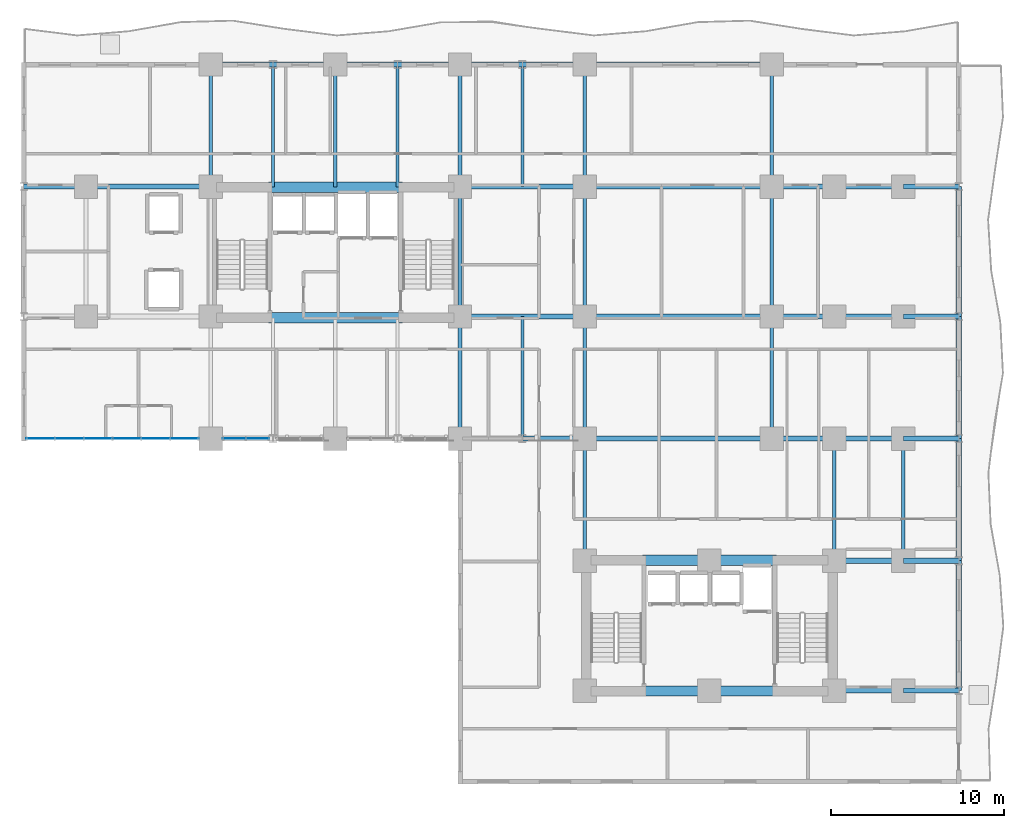
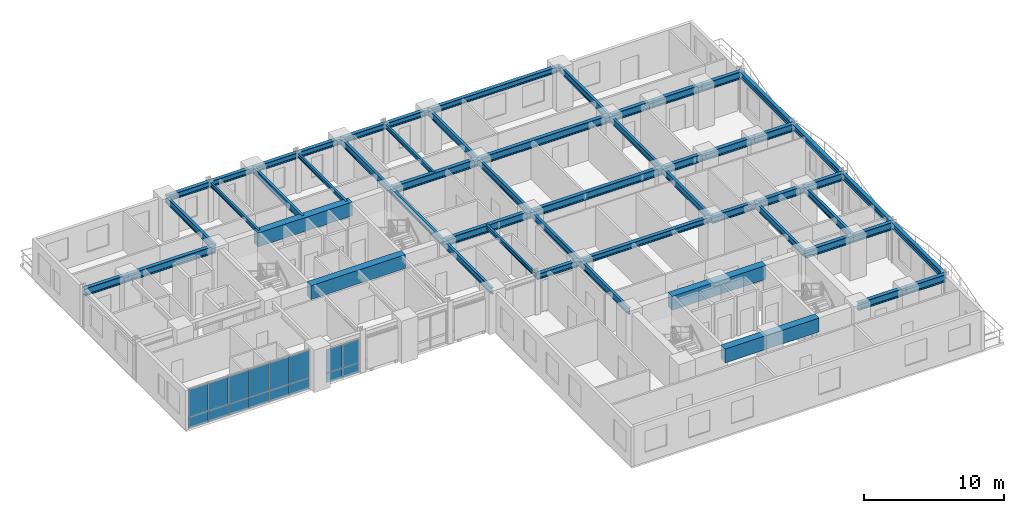
# One storey, part 6 of 16: 54 beams, 16 plates, 2 elements without a shape of their own.
"""IFC4 building model written with IfcOpenShell, lengths in metres."""

from ifc_helpers import new_model, si_unit, direction, frame, origin, origin_2d, place, context, subcontext, project, spatial, rectangle, i_section, extrude, source, transform, mapped, material, layer, layer_set, material_profile, profile_set, type_object, element, aggregate, save


model = new_model("IFC4")

# Units and contexts
model_context = context("Model", 3, precision=1e-05, world=origin(), true_north=direction((0.0, 1.0)))
body_context = subcontext(model_context, "Body", "Model", "MODEL_VIEW")
ifc_project = project(units=[si_unit("LENGTHUNIT", "METRE"), si_unit("AREAUNIT", "SQUARE_METRE"), si_unit("VOLUMEUNIT", "CUBIC_METRE"), si_unit("PLANEANGLEUNIT", "RADIAN"), si_unit("MASSUNIT", "GRAM", prefix="KILO")], contexts=[model_context])

# Site, building, storey
site_placement = place(None, origin())
site = spatial("IfcSite", under=ifc_project, at=site_placement, CompositionType="ELEMENT")
building_placement = place(site_placement, origin())
building = spatial("IfcBuilding", under=site, at=building_placement, Name="Kaliganga Portal Commons", CompositionType="ELEMENT")
storey_placement = place(building_placement, frame((0.0, 0.0, 29.0)))
storey = spatial("IfcBuildingStorey", under=building, at=storey_placement, Name="L06", CompositionType="ELEMENT", Elevation=29.0)

# Beams
ifc_material_1 = material(Name="Concrete C60/75", Category="concrete")
ifc_material_profile_1 = material_profile(ifc_material_1, rectangle(XDim=0.60009765625, YDim=1.199951171875, at=origin_2d()), Name="RC 600x1200")
ifc_profile_set_1 = profile_set([ifc_material_profile_1], Name="Concrete C60/75")
beam_type_1 = type_object("IfcBeamType", Name="BM-CPL-1200", PredefinedType="LINTEL", material=ifc_profile_set_1)
shared_shape_1 = source(origin(), body_context, "Body", "SweptSolid", [
    extrude(rectangle(XDim=0.60009765625, YDim=1.199951171875, at=origin_2d()), origin(), (0.0, 0.0, 1.0), 7.739990234375),
])
for number, where, z_axis, x_axis, name in (
    (1, (17.72998046875, 28.574951171875, 2.85009765625), (1.0, 0.0, 0.0), (0.0, 1.0, 0.0), "BM CPL COREA L06 S"),
    (2, (17.72998046875, 36.125, 2.85009765625), (1.0, 0.0, 0.0), (0.0, 1.0, 0.0), "BM CPL COREA L06 N"),
    (3, (39.330078125, 7.02490234375, 2.85009765625), (1.0, 0.0, 0.0), (0.0, 1.0, 0.0), "BM CPL COREB L06 S"),
    (4, (39.330078125, 14.574951171875, 2.85009765625), (1.0, 0.0, 0.0), (0.0, 1.0, 0.0), "BM CPL COREB L06 N"),
):
    element("IfcBeam", number, at=place(storey_placement, frame(where, z_axis=z_axis, x_axis=x_axis)), inside=storey, type_object=beam_type_1, Name=name, PredefinedType="LINTEL", context=body_context, shape_type="MappedRepresentation", body=[
        mapped(shared_shape_1, transform((0.0, 0.0, 0.0), x_axis=(1.0, 0.0, 0.0), y_axis=(0.0, 1.0, 0.0), z_axis=(0.0, 0.0, 1.0), scale=1.0)),
    ])
ifc_material_2 = material(Name="Structural steel S355J2", Category="steel")
ifc_material_profile_2 = material_profile(ifc_material_2, i_section(OverallWidth=0.300048828125, OverallDepth=0.5, WebThickness=0.014404296875, FlangeThickness=0.028076171875, FilletRadius=0.027099609375, at=origin_2d()), Name="HE 500 B")
ifc_profile_set_2 = profile_set([ifc_material_profile_2], Name="Structural steel S355J2 wide-flange")
beam_type_2 = type_object("IfcBeamType", Name="BM-SPAND-500", PredefinedType="SPANDREL", material=ifc_profile_set_2)
shared_shape_2 = source(origin(), body_context, "Body", "SweptSolid", [
    extrude(i_section(OverallWidth=0.300048828125, OverallDepth=0.5, WebThickness=0.014404296875, FlangeThickness=0.028076171875, FilletRadius=0.027099609375, at=origin_2d()), origin(), (0.0, 0.0, 1.0), 10.800048828125),
])
for number, where, z_axis, x_axis, name in (
    (5, (36.0, 43.199951171875, 3.199951171875), (1.0, 0.0, 0.0), (0.0, 1.0, 0.0), "BM SP L06 AN 7"),
    (6, (36.0, 21.60009765625, 3.199951171875), (1.0, 0.0, 0.0), (0.0, 1.0, 0.0), "BM SP L06 AS 7"),
):
    element("IfcBeam", number, at=place(storey_placement, frame(where, z_axis=z_axis, x_axis=x_axis)), inside=storey, type_object=beam_type_2, Name=name, PredefinedType="SPANDREL", context=body_context, shape_type="MappedRepresentation", body=[
        mapped(shared_shape_2, transform((0.0, 0.0, 0.0), x_axis=(1.0, 0.0, 0.0), y_axis=(0.0, 1.0, 0.0), z_axis=(0.0, 0.0, 1.0), scale=1.0)),
    ])
shared_shape_3 = source(origin(), body_context, "Body", "SweptSolid", [
    extrude(i_section(OverallWidth=0.300048828125, OverallDepth=0.5, WebThickness=0.014404296875, FlangeThickness=0.028076171875, FilletRadius=0.027099609375, at=origin_2d()), origin(), (0.0, 0.0, 1.0), 7.5),
])
for number, where, z_axis, x_axis, name in (
    (7, (57.60009765625, 7.050048828125, 3.199951171875), (0.0, 1.0, 0.0), (-1.0, 0.0, 0.0), "BM SP L06 BE 1"),
    (8, (57.60009765625, 28.64990234375, 3.199951171875), (0.0, 1.0, 0.0), (-1.0, 0.0, 0.0), "BM SP L06 BE 4"),
):
    element("IfcBeam", number, at=place(storey_placement, frame(where, z_axis=z_axis, x_axis=x_axis)), inside=storey, type_object=beam_type_2, Name=name, PredefinedType="SPANDREL", context=body_context, shape_type="MappedRepresentation", body=[
        mapped(shared_shape_3, transform((0.0, 0.0, 0.0), x_axis=(1.0, 0.0, 0.0), y_axis=(0.0, 1.0, 0.0), z_axis=(0.0, 0.0, 1.0), scale=1.0)),
    ])
shared_shape_4 = source(origin(), body_context, "Body", "SweptSolid", [
    extrude(i_section(OverallWidth=0.300048828125, OverallDepth=0.5, WebThickness=0.014404296875, FlangeThickness=0.028076171875, FilletRadius=0.027099609375, at=origin_2d()), origin(), (0.0, 0.0, 1.0), 7.050048828125),
])
beam_1_placement = place(storey_placement, frame((57.60009765625, 14.550048828125, 3.199951171875), z_axis=(0.0, 1.0, 0.0), x_axis=(-1.0, 0.0, 0.0)))
element("IfcBeam", 9, at=beam_1_placement, inside=storey, type_object=beam_type_2, Name="BM SP L06 BE 2", PredefinedType="SPANDREL", context=body_context, shape_type="MappedRepresentation", body=[
    mapped(shared_shape_4, transform((0.0, 0.0, 0.0), x_axis=(1.0, 0.0, 0.0), y_axis=(0.0, 1.0, 0.0), z_axis=(0.0, 0.0, 1.0), scale=1.0)),
])
shared_shape_5 = source(origin(), body_context, "Body", "SweptSolid", [
    extrude(i_section(OverallWidth=0.300048828125, OverallDepth=0.5, WebThickness=0.014404296875, FlangeThickness=0.028076171875, FilletRadius=0.027099609375, at=origin_2d()), origin(), (0.0, 0.0, 1.0), 7.0498046875),
])
beam_2_placement = place(storey_placement, frame((57.60009765625, 21.60009765625, 3.199951171875), z_axis=(0.0, 1.0, 0.0), x_axis=(-1.0, 0.0, 0.0)))
element("IfcBeam", 10, at=beam_2_placement, inside=storey, type_object=beam_type_2, Name="BM SP L06 BE 3", PredefinedType="SPANDREL", context=body_context, shape_type="MappedRepresentation", body=[
    mapped(shared_shape_5, transform((0.0, 0.0, 0.0), x_axis=(1.0, 0.0, 0.0), y_axis=(0.0, 1.0, 0.0), z_axis=(0.0, 0.0, 1.0), scale=1.0)),
])
shared_shape_6 = source(origin(), body_context, "Body", "SweptSolid", [
    extrude(i_section(OverallWidth=0.300048828125, OverallDepth=0.5, WebThickness=0.014404296875, FlangeThickness=0.028076171875, FilletRadius=0.027099609375, at=origin_2d()), origin(), (0.0, 0.0, 1.0), 3.60009765625),
])
for number, where, z_axis, x_axis, name in (
    (11, (14.39990234375, 43.199951171875, 3.199951171875), (1.0, 0.0, 0.0), (0.0, 1.0, 0.0), "BM SP L06 AN 1"),
    (12, (18.0, 43.199951171875, 3.199951171875), (1.0, 0.0, 0.0), (0.0, 1.0, 0.0), "BM SP L06 AN 2"),
    (13, (25.199951171875, 43.199951171875, 3.199951171875), (1.0, 0.0, 0.0), (0.0, 1.0, 0.0), "BM SP L06 AN 4"),
    (14, (32.39990234375, 43.199951171875, 3.199951171875), (1.0, 0.0, 0.0), (0.0, 1.0, 0.0), "BM SP L06 AN 6"),
    (15, (32.39990234375, 21.60009765625, 3.199951171875), (1.0, 0.0, 0.0), (0.0, 1.0, 0.0), "BM SP L06 AS 6"),
):
    element("IfcBeam", number, at=place(storey_placement, frame(where, z_axis=z_axis, x_axis=x_axis)), inside=storey, type_object=beam_type_2, Name=name, PredefinedType="SPANDREL", context=body_context, shape_type="MappedRepresentation", body=[
        mapped(shared_shape_6, transform((0.0, 0.0, 0.0), x_axis=(1.0, 0.0, 0.0), y_axis=(0.0, 1.0, 0.0), z_axis=(0.0, 0.0, 1.0), scale=1.0)),
    ])
shared_shape_7 = source(origin(), body_context, "Body", "SweptSolid", [
    extrude(i_section(OverallWidth=0.300048828125, OverallDepth=0.5, WebThickness=0.014404296875, FlangeThickness=0.028076171875, FilletRadius=0.027099609375, at=origin_2d()), origin(), (0.0, 0.0, 1.0), 3.599853515625),
])
for number, where, z_axis, x_axis, name in (
    (16, (21.60009765625, 43.199951171875, 3.199951171875), (1.0, 0.0, 0.0), (0.0, 1.0, 0.0), "BM SP L06 AN 3"),
    (17, (28.800048828125, 43.199951171875, 3.199951171875), (1.0, 0.0, 0.0), (0.0, 1.0, 0.0), "BM SP L06 AN 5"),
):
    element("IfcBeam", number, at=place(storey_placement, frame(where, z_axis=z_axis, x_axis=x_axis)), inside=storey, type_object=beam_type_2, Name=name, PredefinedType="SPANDREL", context=body_context, shape_type="MappedRepresentation", body=[
        mapped(shared_shape_7, transform((0.0, 0.0, 0.0), x_axis=(1.0, 0.0, 0.0), y_axis=(0.0, 1.0, 0.0), z_axis=(0.0, 0.0, 1.0), scale=1.0)),
    ])
ifc_material_profile_3 = material_profile(ifc_material_2, i_section(OverallWidth=0.300048828125, OverallDepth=0.64990234375, WebThickness=0.01611328125, FlangeThickness=0.031005859375, FilletRadius=0.027099609375, at=origin_2d()), Name="HE 650 B")
ifc_profile_set_3 = profile_set([ifc_material_profile_3], Name="Structural steel S355J2 wide-flange")
beam_type_3 = type_object("IfcBeamType", Name="BM-GIRD-650", PredefinedType="USERDEFINED", material=ifc_profile_set_3)
shared_shape_8 = source(origin(), body_context, "Body", "SweptSolid", [
    extrude(i_section(OverallWidth=0.300048828125, OverallDepth=0.64990234375, WebThickness=0.01611328125, FlangeThickness=0.031005859375, FilletRadius=0.027099609375, at=origin_2d()), origin(), (0.0, 0.0, 1.0), 3.599853515625),
])
for number, where, z_axis, x_axis, name in (
    (18, (3.60009765625, 36.14990234375, 3.125), (1.0, 0.0, 0.0), (0.0, 1.0, 0.0), "BM G L06 WAH_N 1"),
    (19, (46.800048828125, 21.60009765625, 3.125), (1.0, 0.0, 0.0), (0.0, 1.0, 0.0), "BM G L06 BKE216 1"),
    (20, (46.800048828125, 28.64990234375, 3.125), (1.0, 0.0, 0.0), (0.0, 1.0, 0.0), "BM G L06 BKE286 1"),
    (21, (46.800048828125, 36.14990234375, 3.125), (1.0, 0.0, 0.0), (0.0, 1.0, 0.0), "BM G L06 BKE362 1"),
):
    element("IfcBeam", number, at=place(storey_placement, frame(where, z_axis=z_axis, x_axis=x_axis)), inside=storey, type_object=beam_type_3, Name=name, ObjectType="GIRDER", PredefinedType="USERDEFINED", context=body_context, shape_type="MappedRepresentation", body=[
        mapped(shared_shape_8, transform((0.0, 0.0, 0.0), x_axis=(1.0, 0.0, 0.0), y_axis=(0.0, 1.0, 0.0), z_axis=(0.0, 0.0, 1.0), scale=1.0)),
    ])
shared_shape_9 = source(origin(), body_context, "Body", "SweptSolid", [
    extrude(i_section(OverallWidth=0.300048828125, OverallDepth=0.64990234375, WebThickness=0.01611328125, FlangeThickness=0.031005859375, FilletRadius=0.027099609375, at=origin_2d()), origin(), (0.0, 0.0, 1.0), 7.199951171875),
])
for number, where, z_axis, x_axis, name in (
    (22, (7.199951171875, 36.14990234375, 3.125), (1.0, 0.0, 0.0), (0.0, 1.0, 0.0), "BM G L06 WAH_N 2"),
    (23, (28.800048828125, 28.64990234375, 3.125), (1.0, 0.0, 0.0), (0.0, 1.0, 0.0), "BM G L06 WAE_S 1"),
    (24, (28.800048828125, 36.14990234375, 3.125), (1.0, 0.0, 0.0), (0.0, 1.0, 0.0), "BM G L06 WAE_N 1"),
):
    element("IfcBeam", number, at=place(storey_placement, frame(where, z_axis=z_axis, x_axis=x_axis)), inside=storey, type_object=beam_type_3, Name=name, ObjectType="GIRDER", PredefinedType="USERDEFINED", context=body_context, shape_type="MappedRepresentation", body=[
        mapped(shared_shape_9, transform((0.0, 0.0, 0.0), x_axis=(1.0, 0.0, 0.0), y_axis=(0.0, 1.0, 0.0), z_axis=(0.0, 0.0, 1.0), scale=1.0)),
    ])
shared_shape_10 = source(origin(), body_context, "Body", "SweptSolid", [
    extrude(i_section(OverallWidth=0.300048828125, OverallDepth=0.64990234375, WebThickness=0.01611328125, FlangeThickness=0.031005859375, FilletRadius=0.027099609375, at=origin_2d()), origin(), (0.0, 0.0, 1.0), 10.800048828125),
])
for number, where, z_axis, x_axis, name in (
    (25, (36.0, 28.64990234375, 3.125), (1.0, 0.0, 0.0), (0.0, 1.0, 0.0), "BM G L06 WAE_S 2"),
    (26, (36.0, 36.14990234375, 3.125), (1.0, 0.0, 0.0), (0.0, 1.0, 0.0), "BM G L06 WAE_N 2"),
):
    element("IfcBeam", number, at=place(storey_placement, frame(where, z_axis=z_axis, x_axis=x_axis)), inside=storey, type_object=beam_type_3, Name=name, ObjectType="GIRDER", PredefinedType="USERDEFINED", context=body_context, shape_type="MappedRepresentation", body=[
        mapped(shared_shape_10, transform((0.0, 0.0, 0.0), x_axis=(1.0, 0.0, 0.0), y_axis=(0.0, 1.0, 0.0), z_axis=(0.0, 0.0, 1.0), scale=1.0)),
    ])
ifc_material_profile_4 = material_profile(ifc_material_2, i_section(OverallWidth=0.2099609375, OverallDepth=0.550048828125, WebThickness=0.010986328125, FlangeThickness=0.01708984375, FilletRadius=0.02392578125, at=origin_2d()), Name="IPE 550")
ifc_profile_set_4 = profile_set([ifc_material_profile_4], Name="Structural steel S355J2 wide-flange")
beam_type_4 = type_object("IfcBeamType", Name="BM-FLR-550", PredefinedType="BEAM", material=ifc_profile_set_4)
shared_shape_11 = source(origin(), body_context, "Body", "SweptSolid", [
    extrude(i_section(OverallWidth=0.2099609375, OverallDepth=0.550048828125, WebThickness=0.010986328125, FlangeThickness=0.01708984375, FilletRadius=0.02392578125, at=origin_2d()), origin(), (0.0, 0.0, 1.0), 7.5),
])
for number, where, z_axis, x_axis, name in (
    (27, (28.800048828125, 28.64990234375, 3.175048828125), (0.0, 1.0, 0.0), (-1.0, 0.0, 0.0), "BM G L06 AM288"),
    (28, (36.0, 28.64990234375, 3.175048828125), (0.0, 1.0, 0.0), (-1.0, 0.0, 0.0), "BM G L06 AM360"),
    (29, (46.800048828125, 28.64990234375, 3.175048828125), (0.0, 1.0, 0.0), (-1.0, 0.0, 0.0), "BM G L06 AM468"),
):
    element("IfcBeam", number, at=place(storey_placement, frame(where, z_axis=z_axis, x_axis=x_axis)), inside=storey, type_object=beam_type_4, Name=name, PredefinedType="BEAM", context=body_context, shape_type="MappedRepresentation", body=[
        mapped(shared_shape_11, transform((0.0, 0.0, 0.0), x_axis=(1.0, 0.0, 0.0), y_axis=(0.0, 1.0, 0.0), z_axis=(0.0, 0.0, 1.0), scale=1.0)),
    ])
shared_shape_12 = source(origin(), body_context, "Body", "SweptSolid", [
    extrude(i_section(OverallWidth=0.2099609375, OverallDepth=0.550048828125, WebThickness=0.010986328125, FlangeThickness=0.01708984375, FilletRadius=0.02392578125, at=origin_2d()), origin(), (0.0, 0.0, 1.0), 7.050048828125),
])
for number, where, z_axis, x_axis, name in (
    (30, (14.39990234375, 36.14990234375, 3.175048828125), (0.0, 1.0, 0.0), (-1.0, 0.0, 0.0), "BM G L06 AN144"),
    (31, (28.800048828125, 36.14990234375, 3.175048828125), (0.0, 1.0, 0.0), (-1.0, 0.0, 0.0), "BM G L06 AN288"),
    (32, (36.0, 36.14990234375, 3.175048828125), (0.0, 1.0, 0.0), (-1.0, 0.0, 0.0), "BM G L06 AN360"),
    (33, (46.800048828125, 36.14990234375, 3.175048828125), (0.0, 1.0, 0.0), (-1.0, 0.0, 0.0), "BM G L06 AN468"),
    (34, (36.0, 14.550048828125, 3.175048828125), (0.0, 1.0, 0.0), (-1.0, 0.0, 0.0), "BM G L06 BNK360"),
    (35, (50.39990234375, 14.550048828125, 3.175048828125), (0.0, 1.0, 0.0), (-1.0, 0.0, 0.0), "BM G L06 BNK504"),
    (36, (54.39990234375, 14.550048828125, 3.175048828125), (0.0, 1.0, 0.0), (-1.0, 0.0, 0.0), "BM G L06 BNK544"),
):
    element("IfcBeam", number, at=place(storey_placement, frame(where, z_axis=z_axis, x_axis=x_axis)), inside=storey, type_object=beam_type_4, Name=name, PredefinedType="BEAM", context=body_context, shape_type="MappedRepresentation", body=[
        mapped(shared_shape_12, transform((0.0, 0.0, 0.0), x_axis=(1.0, 0.0, 0.0), y_axis=(0.0, 1.0, 0.0), z_axis=(0.0, 0.0, 1.0), scale=1.0)),
    ])
shared_shape_13 = source(origin(), body_context, "Body", "SweptSolid", [
    extrude(i_section(OverallWidth=0.2099609375, OverallDepth=0.550048828125, WebThickness=0.010986328125, FlangeThickness=0.01708984375, FilletRadius=0.02392578125, at=origin_2d()), origin(), (0.0, 0.0, 1.0), 7.0498046875),
])
for number, where, z_axis, x_axis, name in (
    (37, (28.800048828125, 21.60009765625, 3.175048828125), (0.0, 1.0, 0.0), (-1.0, 0.0, 0.0), "BM G L06 AS288"),
    (38, (36.0, 21.60009765625, 3.175048828125), (0.0, 1.0, 0.0), (-1.0, 0.0, 0.0), "BM G L06 AS360"),
    (39, (46.800048828125, 21.60009765625, 3.175048828125), (0.0, 1.0, 0.0), (-1.0, 0.0, 0.0), "BM G L06 AS468"),
):
    element("IfcBeam", number, at=place(storey_placement, frame(where, z_axis=z_axis, x_axis=x_axis)), inside=storey, type_object=beam_type_4, Name=name, PredefinedType="BEAM", context=body_context, shape_type="MappedRepresentation", body=[
        mapped(shared_shape_13, transform((0.0, 0.0, 0.0), x_axis=(1.0, 0.0, 0.0), y_axis=(0.0, 1.0, 0.0), z_axis=(0.0, 0.0, 1.0), scale=1.0)),
    ])
ifc_material_profile_5 = material_profile(ifc_material_2, i_section(OverallWidth=0.169921875, OverallDepth=0.360107421875, WebThickness=0.008056640625, FlangeThickness=0.0126953125, FilletRadius=0.01806640625, at=origin_2d()), Name="IPE 360")
ifc_profile_set_5 = profile_set([ifc_material_profile_5], Name="Structural steel S355J2 wide-flange")
beam_type_5 = type_object("IfcBeamType", Name="BM-JST-360", PredefinedType="JOIST", material=ifc_profile_set_5)
shared_shape_14 = source(origin(), body_context, "Body", "SweptSolid", [
    extrude(i_section(OverallWidth=0.169921875, OverallDepth=0.360107421875, WebThickness=0.008056640625, FlangeThickness=0.0126953125, FilletRadius=0.01806640625, at=origin_2d()), origin(), (0.0, 0.0, 1.0), 7.074951171875),
])
for number, where, z_axis, x_axis, name in (
    (40, (18.0, 36.125, 3.27001953125), (0.0, 1.0, 0.0), (-1.0, 0.0, 0.0), "BM G L06 AN180"),
    (41, (25.199951171875, 36.125, 3.27001953125), (0.0, 1.0, 0.0), (-1.0, 0.0, 0.0), "BM G L06 AN252"),
):
    element("IfcBeam", number, at=place(storey_placement, frame(where, z_axis=z_axis, x_axis=x_axis)), inside=storey, type_object=beam_type_5, Name=name, PredefinedType="JOIST", context=body_context, shape_type="MappedRepresentation", body=[
        mapped(shared_shape_14, transform((0.0, 0.0, 0.0), x_axis=(1.0, 0.0, 0.0), y_axis=(0.0, 1.0, 0.0), z_axis=(0.0, 0.0, 1.0), scale=1.0)),
    ])
shared_shape_15 = source(origin(), body_context, "Body", "SweptSolid", [
    extrude(i_section(OverallWidth=0.2099609375, OverallDepth=0.550048828125, WebThickness=0.010986328125, FlangeThickness=0.01708984375, FilletRadius=0.02392578125, at=origin_2d()), origin(), (0.0, 0.0, 1.0), 7.074951171875),
])
beam_3_placement = place(storey_placement, frame((21.60009765625, 36.125, 3.175048828125), z_axis=(0.0, 1.0, 0.0), x_axis=(-1.0, 0.0, 0.0)))
element("IfcBeam", 42, at=beam_3_placement, inside=storey, type_object=beam_type_4, Name="BM G L06 AN216", PredefinedType="BEAM", context=body_context, shape_type="MappedRepresentation", body=[
    mapped(shared_shape_15, transform((0.0, 0.0, 0.0), x_axis=(1.0, 0.0, 0.0), y_axis=(0.0, 1.0, 0.0), z_axis=(0.0, 0.0, 1.0), scale=1.0)),
])
shared_shape_16 = source(origin(), body_context, "Body", "SweptSolid", [
    extrude(i_section(OverallWidth=0.169921875, OverallDepth=0.360107421875, WebThickness=0.008056640625, FlangeThickness=0.0126953125, FilletRadius=0.01806640625, at=origin_2d()), origin(), (0.0, 0.0, 1.0), 7.050048828125),
])
beam_4_placement = place(storey_placement, frame((32.39990234375, 36.14990234375, 3.27001953125), z_axis=(0.0, 1.0, 0.0), x_axis=(-1.0, 0.0, 0.0)))
element("IfcBeam", 43, at=beam_4_placement, inside=storey, type_object=beam_type_5, Name="BM G L06 AN324", PredefinedType="JOIST", context=body_context, shape_type="MappedRepresentation", body=[
    mapped(shared_shape_16, transform((0.0, 0.0, 0.0), x_axis=(1.0, 0.0, 0.0), y_axis=(0.0, 1.0, 0.0), z_axis=(0.0, 0.0, 1.0), scale=1.0)),
])
shared_shape_17 = source(origin(), body_context, "Body", "SweptSolid", [
    extrude(i_section(OverallWidth=0.169921875, OverallDepth=0.360107421875, WebThickness=0.008056640625, FlangeThickness=0.0126953125, FilletRadius=0.01806640625, at=origin_2d()), origin(), (0.0, 0.0, 1.0), 7.0498046875),
])
beam_5_placement = place(storey_placement, frame((32.39990234375, 21.60009765625, 3.27001953125), z_axis=(0.0, 1.0, 0.0), x_axis=(-1.0, 0.0, 0.0)))
element("IfcBeam", 44, at=beam_5_placement, inside=storey, type_object=beam_type_5, Name="BM G L06 AS324", PredefinedType="JOIST", context=body_context, shape_type="MappedRepresentation", body=[
    mapped(shared_shape_17, transform((0.0, 0.0, 0.0), x_axis=(1.0, 0.0, 0.0), y_axis=(0.0, 1.0, 0.0), z_axis=(0.0, 0.0, 1.0), scale=1.0)),
])
shared_shape_18 = source(origin(), body_context, "Body", "SweptSolid", [
    extrude(i_section(OverallWidth=0.300048828125, OverallDepth=0.64990234375, WebThickness=0.01611328125, FlangeThickness=0.031005859375, FilletRadius=0.027099609375, at=origin_2d()), origin(), (0.0, 0.0, 1.0), 4.0),
])
for number, where, z_axis, x_axis, name in (
    (45, (50.39990234375, 7.050048828125, 3.125), (1.0, 0.0, 0.0), (0.0, 1.0, 0.0), "BM G L06 BKE70 1"),
    (46, (50.39990234375, 14.550048828125, 3.125), (1.0, 0.0, 0.0), (0.0, 1.0, 0.0), "BM G L06 BKE146 1"),
    (47, (50.39990234375, 21.60009765625, 3.125), (1.0, 0.0, 0.0), (0.0, 1.0, 0.0), "BM G L06 BKE216 2"),
    (48, (50.39990234375, 28.64990234375, 3.125), (1.0, 0.0, 0.0), (0.0, 1.0, 0.0), "BM G L06 BKE286 2"),
    (49, (50.39990234375, 36.14990234375, 3.125), (1.0, 0.0, 0.0), (0.0, 1.0, 0.0), "BM G L06 BKE362 2"),
):
    element("IfcBeam", number, at=place(storey_placement, frame(where, z_axis=z_axis, x_axis=x_axis)), inside=storey, type_object=beam_type_3, Name=name, ObjectType="GIRDER", PredefinedType="USERDEFINED", context=body_context, shape_type="MappedRepresentation", body=[
        mapped(shared_shape_18, transform((0.0, 0.0, 0.0), x_axis=(1.0, 0.0, 0.0), y_axis=(0.0, 1.0, 0.0), z_axis=(0.0, 0.0, 1.0), scale=1.0)),
    ])
shared_shape_19 = source(origin(), body_context, "Body", "SweptSolid", [
    extrude(i_section(OverallWidth=0.300048828125, OverallDepth=0.64990234375, WebThickness=0.01611328125, FlangeThickness=0.031005859375, FilletRadius=0.027099609375, at=origin_2d()), origin(), (0.0, 0.0, 1.0), 3.2001953125),
])
for number, where, z_axis, x_axis, name in (
    (50, (54.39990234375, 7.050048828125, 3.125), (1.0, 0.0, 0.0), (0.0, 1.0, 0.0), "BM G L06 BKE70 2"),
    (51, (54.39990234375, 14.550048828125, 3.125), (1.0, 0.0, 0.0), (0.0, 1.0, 0.0), "BM G L06 BKE146 2"),
    (52, (54.39990234375, 21.60009765625, 3.125), (1.0, 0.0, 0.0), (0.0, 1.0, 0.0), "BM G L06 BKE216 3"),
    (53, (54.39990234375, 28.64990234375, 3.125), (1.0, 0.0, 0.0), (0.0, 1.0, 0.0), "BM G L06 BKE286 3"),
    (54, (54.39990234375, 36.14990234375, 3.125), (1.0, 0.0, 0.0), (0.0, 1.0, 0.0), "BM G L06 BKE362 3"),
):
    element("IfcBeam", number, at=place(storey_placement, frame(where, z_axis=z_axis, x_axis=x_axis)), inside=storey, type_object=beam_type_3, Name=name, ObjectType="GIRDER", PredefinedType="USERDEFINED", context=body_context, shape_type="MappedRepresentation", body=[
        mapped(shared_shape_19, transform((0.0, 0.0, 0.0), x_axis=(1.0, 0.0, 0.0), y_axis=(0.0, 1.0, 0.0), z_axis=(0.0, 0.0, 1.0), scale=1.0)),
    ])

# Curtain wall, plates
ifc_material_3 = material(Name="Anodized Aluminium and Laminated Low-E Glass", Category="aluminium")
ifc_layer_1 = layer(ifc_material_3, 0.2099609375)
ifc_layer_set_1 = layer_set([ifc_layer_1], Name="Anodized Aluminium and Laminated Low-E Glass")
curtain_wall_type = type_object("IfcCurtainWallType", Name="CW-SYS-03", PredefinedType="NOTDEFINED", material=ifc_layer_set_1)
curtain_wall_1_placement = place(storey_placement, origin())
curtain_wall_1 = element("IfcCurtainWall", 55, at=curtain_wall_1_placement, inside=storey, type_object=curtain_wall_type, Name="CW 03 L06 P1E04S1", PredefinedType="NOTDEFINED")
ifc_material_4 = material(Name="Insulated Dark Spandrel Panel", Category="metal")
ifc_layer_2 = layer(ifc_material_4, 0.044921875)
ifc_layer_set_2 = layer_set([ifc_layer_2], Name="Insulated Dark Spandrel Panel")
plate_type_1 = type_object("IfcPlateType", Name="PLT-SPN-45", PredefinedType="SHEET", material=ifc_layer_set_2)
shared_shape_20 = source(origin(), body_context, "Body", "SweptSolid", [
    extrude(rectangle(XDim=1.6240234375, YDim=0.044921875, at=origin_2d()), origin(), (0.0, 0.0, 1.0), 0.929931640625),
])
plate_1_placement = place(storey_placement, frame((4.572021484375, 21.60009765625, 0.01025390625), z_axis=(0.0, 0.0, 1.0), x_axis=(1.0, 0.0, 0.0)))
plate_1 = element("IfcPlate", 56, at=plate_1_placement, type_object=plate_type_1, Name="CW:03:L06:P1E04S1 Spandrel 00", PredefinedType="SHEET", context=body_context, shape_type="MappedRepresentation", body=[
    mapped(shared_shape_20, transform((0.0, 0.0, 0.0), x_axis=(1.0, 0.0, 0.0), y_axis=(0.0, 1.0, 0.0), z_axis=(0.0, 0.0, 1.0), scale=1.0)),
])
plate_2_placement = place(storey_placement, frame((6.236083984375, 21.60009765625, 0.01025390625), z_axis=(0.0, 0.0, 1.0), x_axis=(1.0, 0.0, 0.0)))
plate_2 = element("IfcPlate", 57, at=plate_2_placement, type_object=plate_type_1, Name="CW:03:L06:P1E04S1 Spandrel 01", PredefinedType="SHEET", context=body_context, shape_type="MappedRepresentation", body=[
    mapped(shared_shape_20, transform((0.0, 0.0, 0.0), x_axis=(1.0, 0.0, 0.0), y_axis=(0.0, 1.0, 0.0), z_axis=(0.0, 0.0, 1.0), scale=1.0)),
])
plate_3_placement = place(storey_placement, frame((7.89990234375, 21.60009765625, 0.01025390625), z_axis=(0.0, 0.0, 1.0), x_axis=(1.0, 0.0, 0.0)))
plate_3 = element("IfcPlate", 58, at=plate_3_placement, type_object=plate_type_1, Name="CW:03:L06:P1E04S1 Spandrel 02", PredefinedType="SHEET", context=body_context, shape_type="MappedRepresentation", body=[
    mapped(shared_shape_20, transform((0.0, 0.0, 0.0), x_axis=(1.0, 0.0, 0.0), y_axis=(0.0, 1.0, 0.0), z_axis=(0.0, 0.0, 1.0), scale=1.0)),
])
plate_4_placement = place(storey_placement, frame((9.56396484375, 21.60009765625, 0.01025390625), z_axis=(0.0, 0.0, 1.0), x_axis=(1.0, 0.0, 0.0)))
plate_4 = element("IfcPlate", 59, at=plate_4_placement, type_object=plate_type_1, Name="CW:03:L06:P1E04S1 Spandrel 03", PredefinedType="SHEET", context=body_context, shape_type="MappedRepresentation", body=[
    mapped(shared_shape_20, transform((0.0, 0.0, 0.0), x_axis=(1.0, 0.0, 0.0), y_axis=(0.0, 1.0, 0.0), z_axis=(0.0, 0.0, 1.0), scale=1.0)),
])
plate_5_placement = place(storey_placement, frame((11.22802734375, 21.60009765625, 0.01025390625), z_axis=(0.0, 0.0, 1.0), x_axis=(1.0, 0.0, 0.0)))
plate_5 = element("IfcPlate", 60, at=plate_5_placement, type_object=plate_type_1, Name="CW:03:L06:P1E04S1 Spandrel 04", PredefinedType="SHEET", context=body_context, shape_type="MappedRepresentation", body=[
    mapped(shared_shape_20, transform((0.0, 0.0, 0.0), x_axis=(1.0, 0.0, 0.0), y_axis=(0.0, 1.0, 0.0), z_axis=(0.0, 0.0, 1.0), scale=1.0)),
])
plate_6_placement = place(storey_placement, frame((12.89208984375, 21.60009765625, 0.01025390625), z_axis=(0.0, 0.0, 1.0), x_axis=(1.0, 0.0, 0.0)))
plate_6 = element("IfcPlate", 61, at=plate_6_placement, type_object=plate_type_1, Name="CW:03:L06:P1E04S1 Spandrel 05", PredefinedType="SHEET", context=body_context, shape_type="MappedRepresentation", body=[
    mapped(shared_shape_20, transform((0.0, 0.0, 0.0), x_axis=(1.0, 0.0, 0.0), y_axis=(0.0, 1.0, 0.0), z_axis=(0.0, 0.0, 1.0), scale=1.0)),
])
ifc_material_5 = material(Name="Dark Solar-Control Laminated Low-E IGU", Category="glass")
ifc_layer_3 = layer(ifc_material_5, 0.028076171875)
ifc_layer_set_3 = layer_set([ifc_layer_3], Name="Dark Solar-Control Laminated Low-E IGU")
plate_type_2 = type_object("IfcPlateType", Name="PLT-GLZ-28", PredefinedType="CURTAIN_PANEL", material=ifc_layer_set_3)
shared_shape_21 = source(origin(), body_context, "Body", "SweptSolid", [
    extrude(rectangle(XDim=1.6240234375, YDim=0.028076171875, at=origin_2d()), origin(), (0.0, 0.0, 1.0), 2.39990234375),
])
plate_7_placement = place(storey_placement, frame((4.572021484375, 21.60009765625, 0.9599609375), z_axis=(0.0, 0.0, 1.0), x_axis=(1.0, 0.0, 0.0)))
plate_7 = element("IfcPlate", 62, at=plate_7_placement, type_object=plate_type_2, Name="CW:03:L06:P1E04S1 Vision IGU 00", PredefinedType="CURTAIN_PANEL", context=body_context, shape_type="MappedRepresentation", body=[
    mapped(shared_shape_21, transform((0.0, 0.0, 0.0), x_axis=(1.0, 0.0, 0.0), y_axis=(0.0, 1.0, 0.0), z_axis=(0.0, 0.0, 1.0), scale=1.0)),
])
plate_8_placement = place(storey_placement, frame((6.236083984375, 21.60009765625, 0.9599609375), z_axis=(0.0, 0.0, 1.0), x_axis=(1.0, 0.0, 0.0)))
plate_8 = element("IfcPlate", 63, at=plate_8_placement, type_object=plate_type_2, Name="CW:03:L06:P1E04S1 Vision IGU 01", PredefinedType="CURTAIN_PANEL", context=body_context, shape_type="MappedRepresentation", body=[
    mapped(shared_shape_21, transform((0.0, 0.0, 0.0), x_axis=(1.0, 0.0, 0.0), y_axis=(0.0, 1.0, 0.0), z_axis=(0.0, 0.0, 1.0), scale=1.0)),
])
plate_9_placement = place(storey_placement, frame((7.89990234375, 21.60009765625, 0.9599609375), z_axis=(0.0, 0.0, 1.0), x_axis=(1.0, 0.0, 0.0)))
plate_9 = element("IfcPlate", 64, at=plate_9_placement, type_object=plate_type_2, Name="CW:03:L06:P1E04S1 Vision IGU 02", PredefinedType="CURTAIN_PANEL", context=body_context, shape_type="MappedRepresentation", body=[
    mapped(shared_shape_21, transform((0.0, 0.0, 0.0), x_axis=(1.0, 0.0, 0.0), y_axis=(0.0, 1.0, 0.0), z_axis=(0.0, 0.0, 1.0), scale=1.0)),
])
plate_10_placement = place(storey_placement, frame((9.56396484375, 21.60009765625, 0.9599609375), z_axis=(0.0, 0.0, 1.0), x_axis=(1.0, 0.0, 0.0)))
plate_10 = element("IfcPlate", 65, at=plate_10_placement, type_object=plate_type_2, Name="CW:03:L06:P1E04S1 Vision IGU 03", PredefinedType="CURTAIN_PANEL", context=body_context, shape_type="MappedRepresentation", body=[
    mapped(shared_shape_21, transform((0.0, 0.0, 0.0), x_axis=(1.0, 0.0, 0.0), y_axis=(0.0, 1.0, 0.0), z_axis=(0.0, 0.0, 1.0), scale=1.0)),
])
plate_11_placement = place(storey_placement, frame((11.22802734375, 21.60009765625, 0.9599609375), z_axis=(0.0, 0.0, 1.0), x_axis=(1.0, 0.0, 0.0)))
plate_11 = element("IfcPlate", 66, at=plate_11_placement, type_object=plate_type_2, Name="CW:03:L06:P1E04S1 Vision IGU 04", PredefinedType="CURTAIN_PANEL", context=body_context, shape_type="MappedRepresentation", body=[
    mapped(shared_shape_21, transform((0.0, 0.0, 0.0), x_axis=(1.0, 0.0, 0.0), y_axis=(0.0, 1.0, 0.0), z_axis=(0.0, 0.0, 1.0), scale=1.0)),
])
plate_12_placement = place(storey_placement, frame((12.89208984375, 21.60009765625, 0.9599609375), z_axis=(0.0, 0.0, 1.0), x_axis=(1.0, 0.0, 0.0)))
plate_12 = element("IfcPlate", 67, at=plate_12_placement, type_object=plate_type_2, Name="CW:03:L06:P1E04S1 Vision IGU 05", PredefinedType="CURTAIN_PANEL", context=body_context, shape_type="MappedRepresentation", body=[
    mapped(shared_shape_21, transform((0.0, 0.0, 0.0), x_axis=(1.0, 0.0, 0.0), y_axis=(0.0, 1.0, 0.0), z_axis=(0.0, 0.0, 1.0), scale=1.0)),
])
aggregate(curtain_wall_1, [plate_1, plate_7, plate_2, plate_8, plate_3, plate_9, plate_4, plate_10, plate_5, plate_11, plate_6, plate_12])

curtain_wall_2_placement = place(storey_placement, origin())
curtain_wall_2 = element("IfcCurtainWall", 68, at=curtain_wall_2_placement, inside=storey, type_object=curtain_wall_type, Name="CW 03 L06 P1E04S2", PredefinedType="NOTDEFINED")
shared_shape_22 = source(origin(), body_context, "Body", "SweptSolid", [
    extrude(rectangle(XDim=1.3173828125, YDim=0.044921875, at=origin_2d()), origin(), (0.0, 0.0, 1.0), 0.805908203125),
])
plate_13_placement = place(storey_placement, frame((15.7548828125, 21.60009765625, 0.01025390625), z_axis=(0.0, 0.0, 1.0), x_axis=(1.0, 0.0, 0.0)))
plate_13 = element("IfcPlate", 69, at=plate_13_placement, type_object=plate_type_1, Name="CW:03:L06:P1E04S2 Spandrel 00", PredefinedType="SHEET", context=body_context, shape_type="MappedRepresentation", body=[
    mapped(shared_shape_22, transform((0.0, 0.0, 0.0), x_axis=(1.0, 0.0, 0.0), y_axis=(0.0, 1.0, 0.0), z_axis=(0.0, 0.0, 1.0), scale=1.0)),
])
plate_14_placement = place(storey_placement, frame((17.1123046875, 21.60009765625, 0.01025390625), z_axis=(0.0, 0.0, 1.0), x_axis=(1.0, 0.0, 0.0)))
plate_14 = element("IfcPlate", 70, at=plate_14_placement, type_object=plate_type_1, Name="CW:03:L06:P1E04S2 Spandrel 01", PredefinedType="SHEET", context=body_context, shape_type="MappedRepresentation", body=[
    mapped(shared_shape_22, transform((0.0, 0.0, 0.0), x_axis=(1.0, 0.0, 0.0), y_axis=(0.0, 1.0, 0.0), z_axis=(0.0, 0.0, 1.0), scale=1.0)),
])
shared_shape_23 = source(origin(), body_context, "Body", "SweptSolid", [
    extrude(rectangle(XDim=1.3173828125, YDim=0.028076171875, at=origin_2d()), origin(), (0.0, 0.0, 1.0), 2.02392578125),
])
plate_15_placement = place(storey_placement, frame((15.7548828125, 21.60009765625, 0.8359375), z_axis=(0.0, 0.0, 1.0), x_axis=(1.0, 0.0, 0.0)))
plate_15 = element("IfcPlate", 71, at=plate_15_placement, type_object=plate_type_2, Name="CW:03:L06:P1E04S2 Vision IGU 00", PredefinedType="CURTAIN_PANEL", context=body_context, shape_type="MappedRepresentation", body=[
    mapped(shared_shape_23, transform((0.0, 0.0, 0.0), x_axis=(1.0, 0.0, 0.0), y_axis=(0.0, 1.0, 0.0), z_axis=(0.0, 0.0, 1.0), scale=1.0)),
])
plate_16_placement = place(storey_placement, frame((17.1123046875, 21.60009765625, 0.8359375), z_axis=(0.0, 0.0, 1.0), x_axis=(1.0, 0.0, 0.0)))
plate_16 = element("IfcPlate", 72, at=plate_16_placement, type_object=plate_type_2, Name="CW:03:L06:P1E04S2 Vision IGU 01", PredefinedType="CURTAIN_PANEL", context=body_context, shape_type="MappedRepresentation", body=[
    mapped(shared_shape_23, transform((0.0, 0.0, 0.0), x_axis=(1.0, 0.0, 0.0), y_axis=(0.0, 1.0, 0.0), z_axis=(0.0, 0.0, 1.0), scale=1.0)),
])
aggregate(curtain_wall_2, [plate_13, plate_15, plate_14, plate_16])

save(model, "model.ifc")
